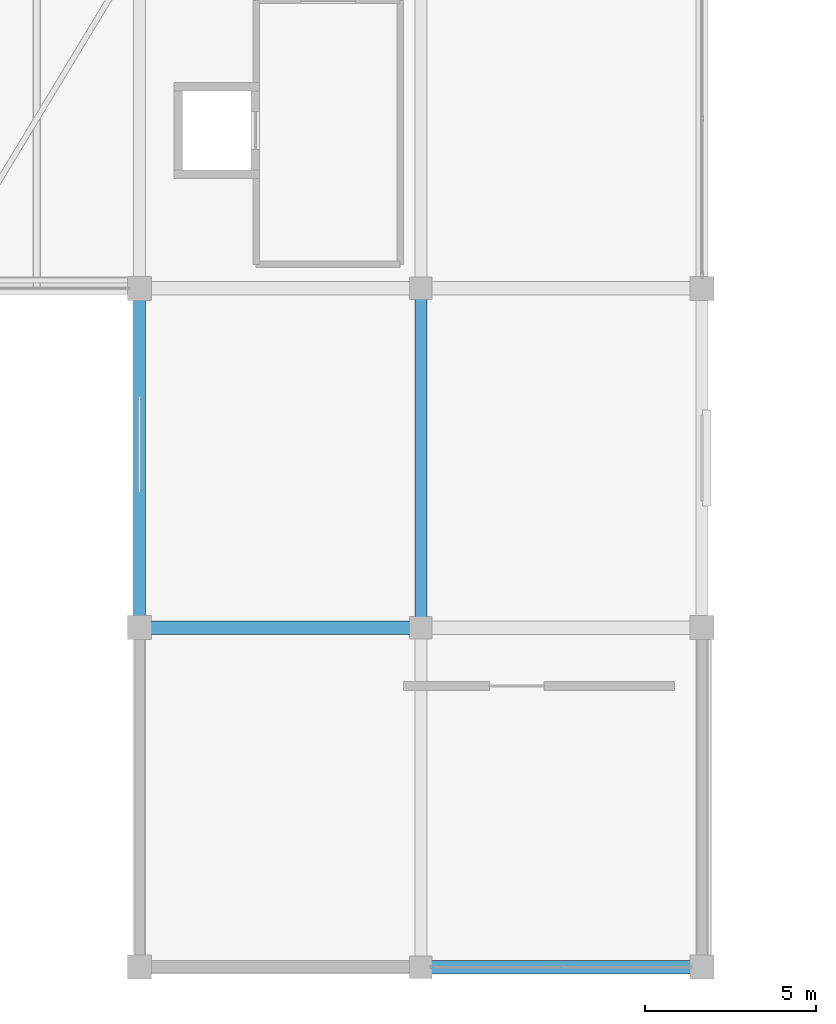
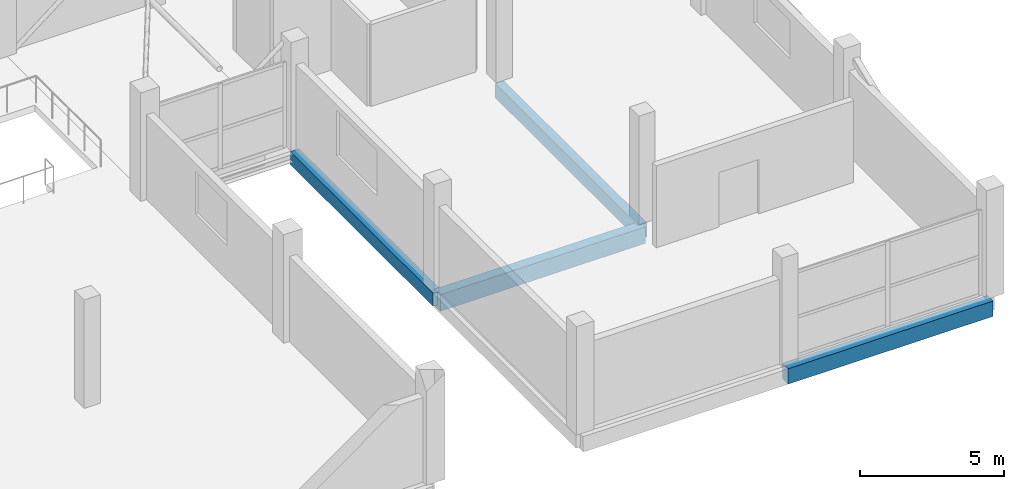
# One storey, part 13 of 69: 4 beams.
"""IFC4 building model written with IfcOpenShell, lengths in metres."""

from ifc_helpers import new_model, si_unit, direction, frame, origin, origin_2d, place, context, subcontext, project, spatial, rectangle, extrude, material, material_profile, profile_set, type_object, element, save


model = new_model("IFC4")

# Units and contexts
model_context = context("Model", 3, precision=1e-05, world=origin(), true_north=direction((0.0, 1.0)))
body_context = subcontext(model_context, "Body", "Model", "MODEL_VIEW")
ifc_project = project(units=[si_unit("LENGTHUNIT", "METRE"), si_unit("AREAUNIT", "SQUARE_METRE"), si_unit("VOLUMEUNIT", "CUBIC_METRE"), si_unit("PLANEANGLEUNIT", "RADIAN"), si_unit("MASSUNIT", "GRAM", prefix="KILO")], contexts=[model_context])

# Site, building, storey
site_placement = place(None, origin())
site = spatial("IfcSite", under=ifc_project, at=site_placement, CompositionType="ELEMENT")
building_placement = place(site_placement, origin())
building = spatial("IfcBuilding", under=site, at=building_placement, Name="Sillaruma Civic Art Gallery", CompositionType="ELEMENT")
storey_placement = place(building_placement, frame((0.0, 0.0, 42.330078125)))
storey = spatial("IfcBuildingStorey", under=building, at=storey_placement, Name="L08", CompositionType="ELEMENT", Elevation=42.330078125)

# Beams
ifc_material = material(Name="Concrete H35 (35 MPa)", Category="concrete")
ifc_material_profile_1 = material_profile(ifc_material, rectangle(XDim=0.35009765625, YDim=0.60009765625, at=origin_2d()), Name="RCB350x600")
ifc_profile_set_1 = profile_set([ifc_material_profile_1], Name="Concrete H35 (35 MPa)")
beam_type_1 = type_object("IfcBeamType", Name="BM-BEAM-RCB350x600", PredefinedType="BEAM", material=ifc_profile_set_1)
beam_1_placement = place(storey_placement, frame((106.199951171875, 29.699951171875, -0.580078125), z_axis=(0.0, 1.0, 0.0), x_axis=(-1.0, 0.0, 0.0)))
element("IfcBeam", 1, at=beam_1_placement, inside=storey, type_object=beam_type_1, Name="Beam BM-06 (L07:M:4-5)", PredefinedType="BEAM", context=body_context, shape_type="SweptSolid", body=[
    extrude(rectangle(XDim=0.35009765625, YDim=0.60009765625, at=origin_2d()), origin(), (0.0, 0.0, 1.0), 9.900146484375),
])
ifc_material_profile_2 = material_profile(ifc_material, rectangle(XDim=0.39990234375, YDim=0.699951171875, at=origin_2d()), Name="RCB400x700")
ifc_profile_set_2 = profile_set([ifc_material_profile_2], Name="Concrete H35 (35 MPa)")
beam_type_2 = type_object("IfcBeamType", Name="BM-BEAM-RCB400x700", PredefinedType="BEAM", material=ifc_profile_set_2)
beam_2_placement = place(storey_placement, frame((98.0, 29.699951171875, -0.630126953125), z_axis=(1.0, 0.0, 0.0), x_axis=(0.0, 1.0, 0.0)))
element("IfcBeam", 2, at=beam_2_placement, inside=storey, type_object=beam_type_2, Name="Beam BM-04 (L07:4:L-M)", PredefinedType="BEAM", context=body_context, shape_type="SweptSolid", body=[
    extrude(rectangle(XDim=0.39990234375, YDim=0.699951171875, at=origin_2d()), origin(), (0.0, 0.0, 1.0), 8.199951171875),
])
ifc_material_profile_3 = material_profile(ifc_material, rectangle(XDim=0.35009765625, YDim=0.550048828125, at=origin_2d()), Name="RCB350x550")
ifc_profile_set_3 = profile_set([ifc_material_profile_3], Name="Concrete H35 (35 MPa)")
beam_type_3 = type_object("IfcBeamType", Name="BM-SPANDREL-RCB350x550", PredefinedType="SPANDREL", material=ifc_profile_set_3)
beam_3_placement = place(storey_placement, frame((98.0, 29.699951171875, -0.55517578125), z_axis=(0.0, 1.0, 0.0), x_axis=(-1.0, 0.0, 0.0)))
element("IfcBeam", 3, at=beam_3_placement, inside=storey, type_object=beam_type_3, Name="Beam BS-04 (L07:L:4-5)", PredefinedType="SPANDREL", context=body_context, shape_type="SweptSolid", body=[
    extrude(rectangle(XDim=0.35009765625, YDim=0.550048828125, at=origin_2d()), origin(), (0.0, 0.0, 1.0), 9.900146484375),
])
ifc_material_profile_4 = material_profile(ifc_material, rectangle(XDim=0.39990234375, YDim=0.64990234375, at=origin_2d()), Name="RCB400x650")
ifc_profile_set_4 = profile_set([ifc_material_profile_4], Name="Concrete H35 (35 MPa)")
beam_type_4 = type_object("IfcBeamType", Name="BM-SPANDREL-RCB400x650", PredefinedType="SPANDREL", material=ifc_profile_set_4)
beam_4_placement = place(storey_placement, frame((106.199951171875, 19.800048828125, -0.60498046875), z_axis=(1.0, 0.0, 0.0), x_axis=(0.0, 1.0, 0.0)))
element("IfcBeam", 4, at=beam_4_placement, inside=storey, type_object=beam_type_4, Name="Beam BS-02 (L07:3:M-N)", PredefinedType="SPANDREL", context=body_context, shape_type="SweptSolid", body=[
    extrude(rectangle(XDim=0.39990234375, YDim=0.64990234375, at=origin_2d()), origin(), (0.0, 0.0, 1.0), 8.199951171875),
])

save(model, "model.ifc")
